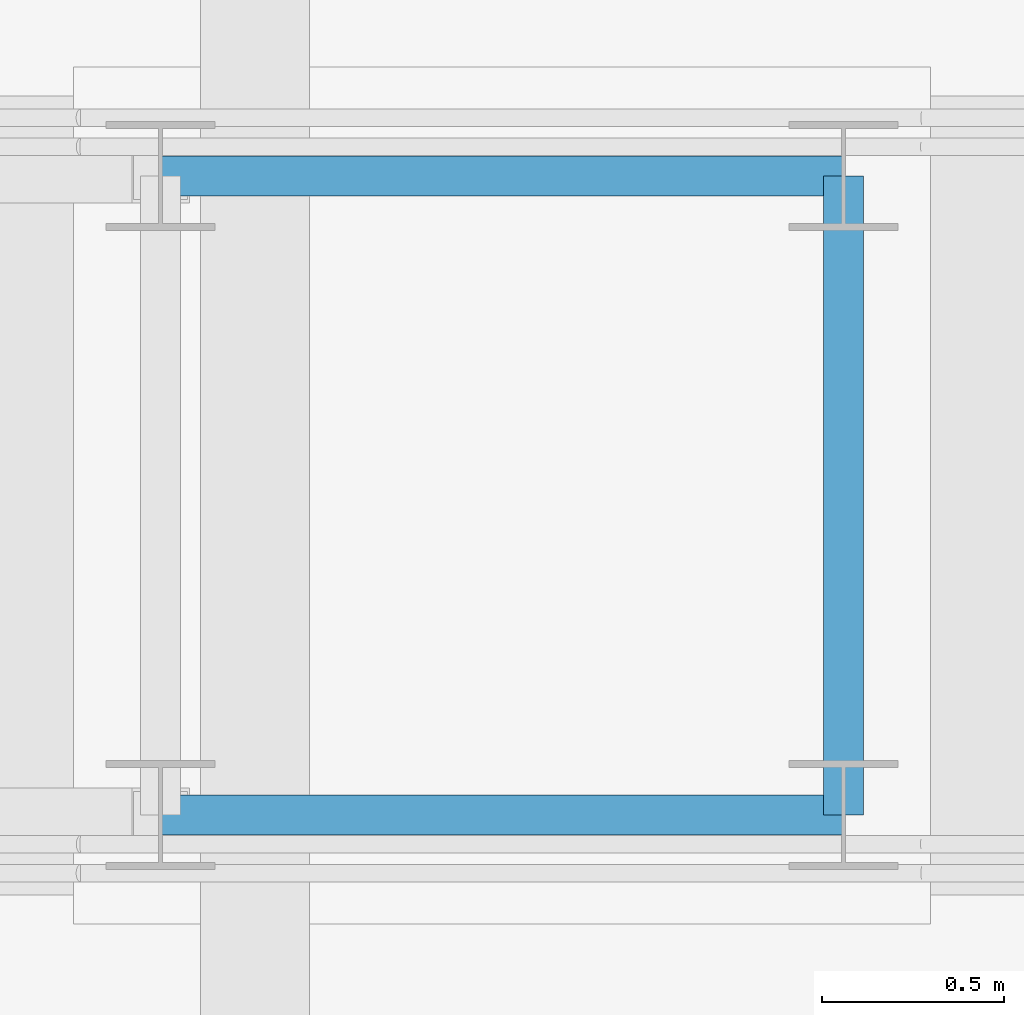
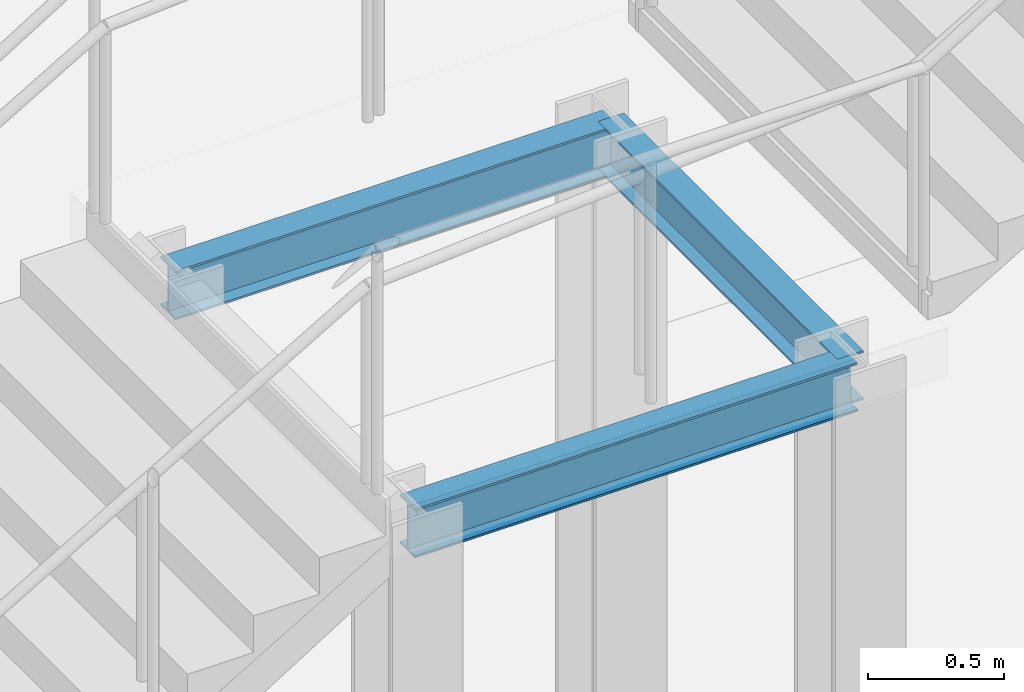
# One storey, part 45 of 115: 3 beams.
"""IFC4 building model written with IfcOpenShell, lengths in metres."""

from ifc_helpers import new_model, si_unit, direction, frame, origin, origin_2d, place, context, subcontext, project, spatial, i_section, extrude, material, material_profile, profile_set, type_object, element, save


model = new_model("IFC4")

# Units and contexts
model_context = context("Model", 3, precision=1e-05, world=origin(), true_north=direction((0.0, 1.0)))
body_context = subcontext(model_context, "Body", "Model", "MODEL_VIEW")
ifc_project = project(units=[si_unit("LENGTHUNIT", "METRE"), si_unit("AREAUNIT", "SQUARE_METRE"), si_unit("VOLUMEUNIT", "CUBIC_METRE"), si_unit("PLANEANGLEUNIT", "RADIAN"), si_unit("MASSUNIT", "GRAM", prefix="KILO")], contexts=[model_context])

# Site, building, storey
site_placement = place(None, origin())
site = spatial("IfcSite", under=ifc_project, at=site_placement, CompositionType="ELEMENT")
building_placement = place(site_placement, origin())
building = spatial("IfcBuilding", under=site, at=building_placement, Name="Tamarisk Ironworks Central Station", CompositionType="ELEMENT")
storey_placement = place(building_placement, origin())
storey = spatial("IfcBuildingStorey", under=building, at=storey_placement, Name="L00", CompositionType="ELEMENT", Elevation=0.0)

# Beams
ifc_material = material(Name="Structural steel S355J2", Category="steel")
ifc_material_profile = material_profile(ifc_material, i_section(OverallWidth=0.110107421875, OverallDepth=0.219970703125, WebThickness=0.005859375, FlangeThickness=0.00927734375, at=origin_2d()), Name="IPE 220")
ifc_profile_set = profile_set([ifc_material_profile], Name="Structural steel S355J2")
beam_type = type_object("IfcBeamType", Name="BM-J02", PredefinedType="JOIST", material=ifc_profile_set)
for number, where, z_axis, x_axis, name in (
    (1, (62.739990234375, 23.719970703125, 3.330078125), (1.0, 0.0, 0.0), (0.0, 1.0, 0.0), "ST-P1A mid-landing tie beam 1"),
    (2, (62.739990234375, 25.47998046875, 3.330078125), (1.0, 0.0, 0.0), (0.0, 1.0, 0.0), "ST-P1A mid-landing tie beam 2"),
):
    element("IfcBeam", number, at=place(storey_placement, frame(where, z_axis=z_axis, x_axis=x_axis)), inside=storey, type_object=beam_type, Name=name, PredefinedType="JOIST", context=body_context, shape_type="SweptSolid", body=[
        extrude(i_section(OverallWidth=0.110107421875, OverallDepth=0.219970703125, WebThickness=0.005859375, FlangeThickness=0.00927734375, at=origin_2d()), origin(), (0.0, 0.0, 1.0), 1.880126953125),
    ])
beam_placement = place(storey_placement, frame((64.6201171875, 23.719970703125, 3.330078125), z_axis=(0.0, 1.0, 0.0), x_axis=(-1.0, 0.0, 0.0)))
element("IfcBeam", 3, at=beam_placement, inside=storey, type_object=beam_type, Name="ST-P1A mid-landing tie beam 4", PredefinedType="JOIST", context=body_context, shape_type="SweptSolid", body=[
    extrude(i_section(OverallWidth=0.110107421875, OverallDepth=0.219970703125, WebThickness=0.005859375, FlangeThickness=0.00927734375, at=origin_2d()), origin(), (0.0, 0.0, 1.0), 1.760009765625),
])

save(model, "model.ifc")
